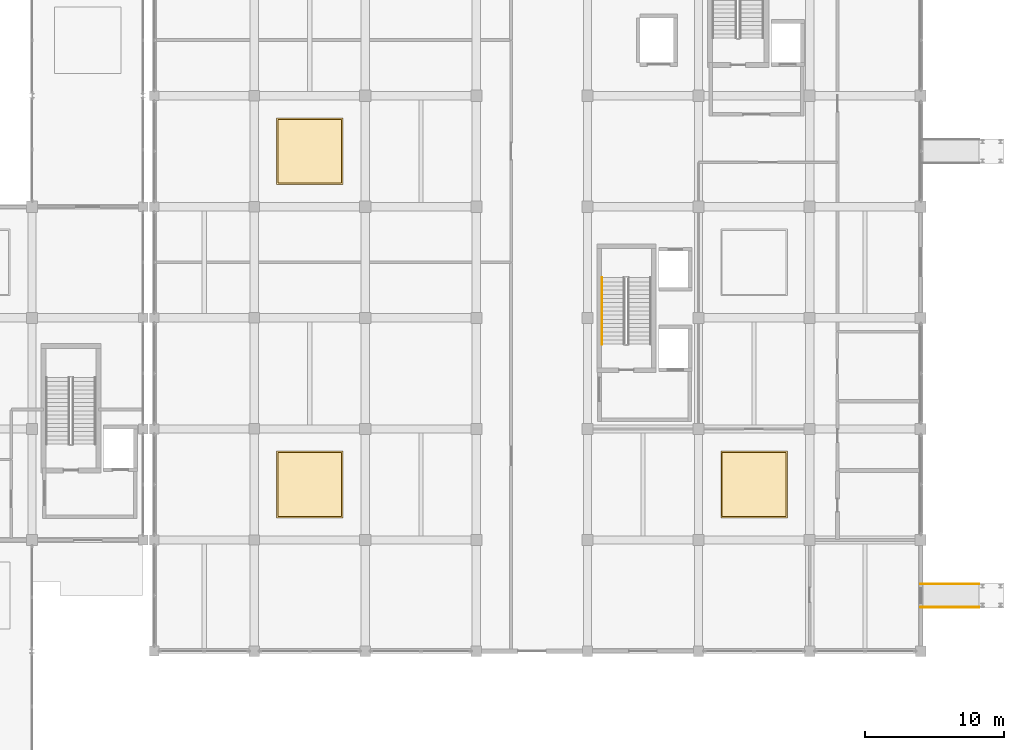
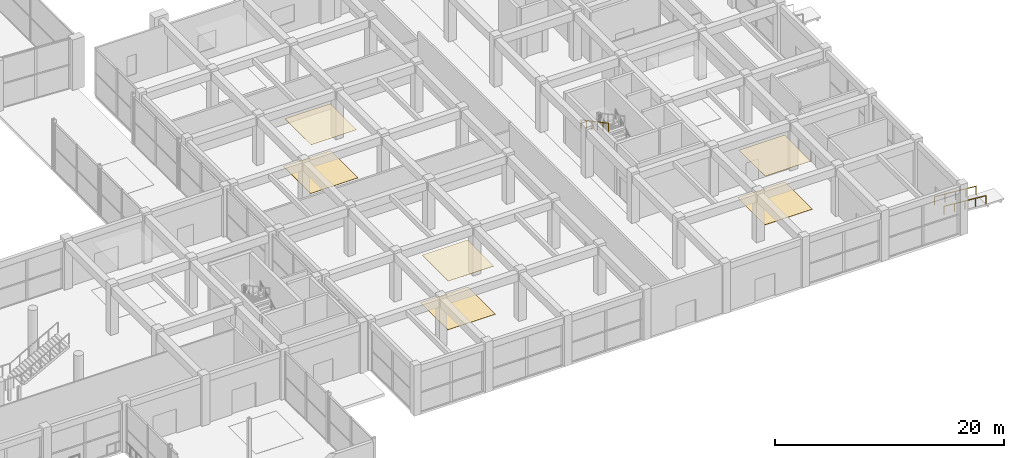
# One storey, part 81 of 86: 6 coverings, 3 railings.
"""IFC4 building model written with IfcOpenShell, lengths in metres."""

from ifc_helpers import new_model, si_unit, direction, frame, origin, origin_2d, place, context, subcontext, project, spatial, rectangle, circle, extrude, material, layer, layer_set, type_object, element, save


model = new_model("IFC4")

# Units and contexts
model_context = context("Model", 3, precision=1e-05, world=origin(), true_north=direction((0.0, 1.0)))
body_context = subcontext(model_context, "Body", "Model", "MODEL_VIEW")
ifc_project = project(units=[si_unit("LENGTHUNIT", "METRE"), si_unit("AREAUNIT", "SQUARE_METRE"), si_unit("VOLUMEUNIT", "CUBIC_METRE"), si_unit("PLANEANGLEUNIT", "RADIAN"), si_unit("MASSUNIT", "GRAM", prefix="KILO")], contexts=[model_context])

# Site, building, storey
site_placement = place(None, origin())
site = spatial("IfcSite", under=ifc_project, at=site_placement, CompositionType="ELEMENT")
building_placement = place(site_placement, origin())
building = spatial("IfcBuilding", under=site, at=building_placement, Name="Kenh Van Central Station", CompositionType="ELEMENT")
storey_placement = place(building_placement, origin())
storey = spatial("IfcBuildingStorey", under=building, at=storey_placement, Name="L00", CompositionType="ELEMENT", Elevation=0.0)

# Coverings
ifc_material_1 = material(Name="Perforated acoustic mineral ceiling board")
ifc_layer_1 = layer(ifc_material_1, 0.02490234375, Name="Perforated acoustic mineral ceiling board")
ifc_layer_set_1 = layer_set([ifc_layer_1], Name="Perforated acoustic mineral ceiling board")
covering_type_1 = type_object("IfcCoveringType", Name="COV-CEIL-ACOUST", PredefinedType="CEILING", material=ifc_layer_set_1)
for number, where, z_axis, x_axis, name in (
    (1, (164.0, 20.0, 5.09716796875), (0.0, 0.0, 1.0), (1.0, 0.0, 0.0), "L00 acoustic ceiling panel 025"),
    (2, (132.0, 20.0, 5.09716796875), (0.0, 0.0, 1.0), (1.0, 0.0, 0.0), "L00 acoustic ceiling panel 027"),
    (3, (132.0, 44.0, 5.09716796875), (0.0, 0.0, 1.0), (1.0, 0.0, 0.0), "L00 acoustic ceiling panel 028"),
):
    element("IfcCovering", number, at=place(storey_placement, frame(where, z_axis=z_axis, x_axis=x_axis)), inside=storey, type_object=covering_type_1, Name=name, PredefinedType="CEILING", context=body_context, shape_type="SweptSolid", body=[
        extrude(rectangle(XDim=4.60009765625, YDim=4.60009765625, at=origin_2d()), origin(), (0.0, 0.0, 1.0), 0.02490234375),
    ])
ifc_material_2 = material(Name="Polished station granite terrazzo", Category="masonry")
ifc_layer_2 = layer(ifc_material_2, 0.02001953125, Name="Polished station granite terrazzo")
ifc_layer_set_2 = layer_set([ifc_layer_2], Name="Polished station granite terrazzo")
covering_type_2 = type_object("IfcCoveringType", Name="COV-FLR-GRANITE", PredefinedType="FLOORING", material=ifc_layer_set_2)
for number, where, z_axis, x_axis, name in (
    (4, (164.0, 20.0, 0.0), (0.0, 0.0, 1.0), (1.0, 0.0, 0.0), "L00 granite floor finish 033"),
    (5, (132.0, 20.0, 0.0), (0.0, 0.0, 1.0), (1.0, 0.0, 0.0), "L00 granite floor finish 035"),
    (6, (132.0, 44.0, 0.0), (0.0, 0.0, 1.0), (1.0, 0.0, 0.0), "L00 granite floor finish 036"),
):
    element("IfcCovering", number, at=place(storey_placement, frame(where, z_axis=z_axis, x_axis=x_axis)), inside=storey, type_object=covering_type_2, Name=name, PredefinedType="FLOORING", context=body_context, shape_type="SweptSolid", body=[
        extrude(rectangle(XDim=4.800048828125, YDim=4.800048828125, at=origin_2d()), origin(), (0.0, 0.0, 1.0), 0.02001953125),
    ])

# Railings
ifc_material_3 = material(Name="Champagne anodised aluminium", Category="aluminium")
railing_type = type_object("IfcRailingType", Name="RAIL-CORE-HND90", PredefinedType="HANDRAIL", material=ifc_material_3)
railing_placement = place(storey_placement, frame((153.050048828125, 34.89990234375, 2.85888671875)))
element("IfcRailing", 7, at=railing_placement, inside=storey, type_object=railing_type, Name="L00 ST-09 stair handrail 2", PredefinedType="HANDRAIL", context=body_context, shape_type="SweptSolid", body=[
    extrude(circle(Radius=0.02392578125, at=origin_2d()), frame((0.0, 0.0, 0.8759765625), z_axis=(0.0, -0.883792290195, 0.467879458614), x_axis=(1.0, 0.0, 0.0)), (0.0, 0.0, 1.0), 5.430908203125),
    extrude(circle(Radius=0.02099609375, at=origin_2d()), origin(), (0.0, 0.0, 1.0), 0.851806640625),
    extrude(circle(Radius=0.02099609375, at=origin_2d()), frame((0.0, -0.9599609375, 0.50830078125)), (0.0, 0.0, 1.0), 0.851806640625),
    extrude(circle(Radius=0.02099609375, at=origin_2d()), frame((0.0, -1.919921875, 1.016357421875)), (0.0, 0.0, 1.0), 0.851806640625),
    extrude(circle(Radius=0.02099609375, at=origin_2d()), frame((0.0, -2.8798828125, 1.524658203125)), (0.0, 0.0, 1.0), 0.851806640625),
    extrude(circle(Radius=0.02099609375, at=origin_2d()), frame((0.0, -3.83984375, 2.03271484375)), (0.0, 0.0, 1.0), 0.851806640625),
    extrude(circle(Radius=0.02099609375, at=origin_2d()), frame((0.0, -4.7998046875, 2.541015625)), (0.0, 0.0, 1.0), 0.851806640625),
])
for number, where, name in (
    (8, (180.199951171875, 12.840087890625, -0.35009765625), "Fire Command Street Threshold Ramp handrail 1"),
    (9, (180.199951171875, 11.159912109375, -0.35009765625), "Fire Command Street Threshold Ramp handrail 2"),
):
    element("IfcRailing", number, at=place(storey_placement, frame(where)), inside=storey, type_object=railing_type, Name=name, PredefinedType="HANDRAIL", context=body_context, shape_type="SweptSolid", body=[
        extrude(circle(Radius=0.02392578125, at=origin_2d()), frame((0.0, 0.0, 0.8759765625), z_axis=(-0.996543760423, 0.0, 0.083069450238), x_axis=(0.0, -1.0, 0.0)), (0.0, 0.0, 1.0), 4.214599609375),
        extrude(circle(Radius=0.02099609375, at=origin_2d()), origin(), (0.0, 0.0, 1.0), 0.851806640625),
        extrude(circle(Radius=0.02099609375, at=origin_2d()), frame((-1.050048828125, 0.0, 0.08740234375)), (0.0, 0.0, 1.0), 0.851806640625),
        extrude(circle(Radius=0.02099609375, at=origin_2d()), frame((-2.10009765625, 0.0, 0.175048828125)), (0.0, 0.0, 1.0), 0.851806640625),
        extrude(circle(Radius=0.02099609375, at=origin_2d()), frame((-3.14990234375, 0.0, 0.2626953125)), (0.0, 0.0, 1.0), 0.851806640625),
        extrude(circle(Radius=0.02099609375, at=origin_2d()), frame((-4.199951171875, 0.0, 0.35009765625)), (0.0, 0.0, 1.0), 0.851806640625),
    ])

save(model, "model.ifc")
